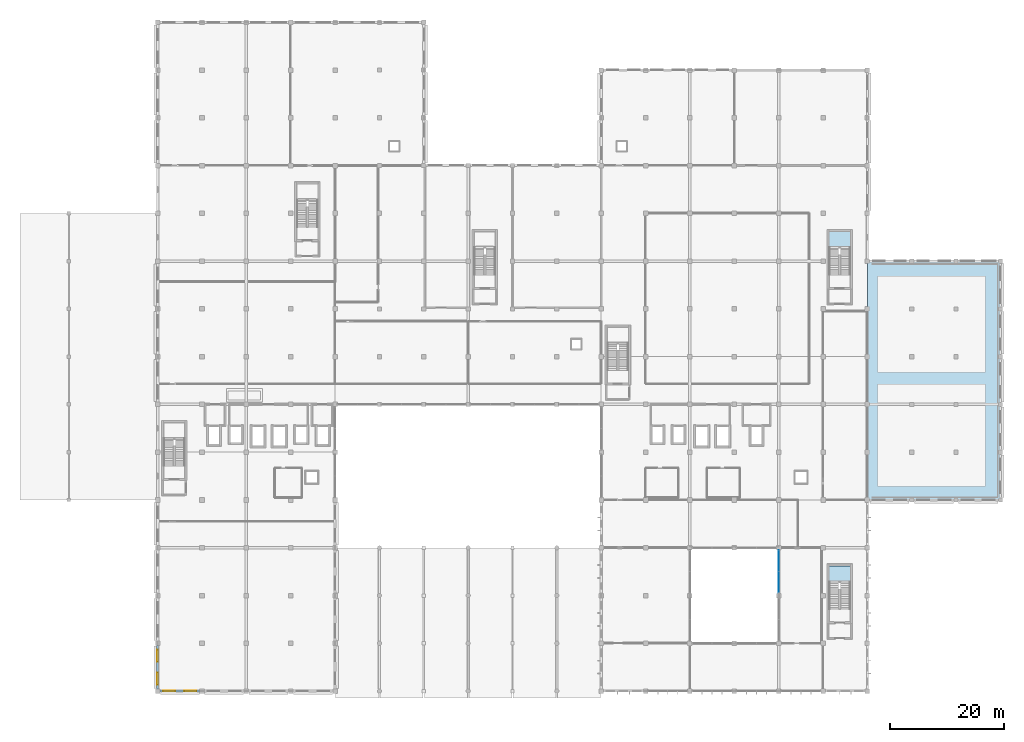
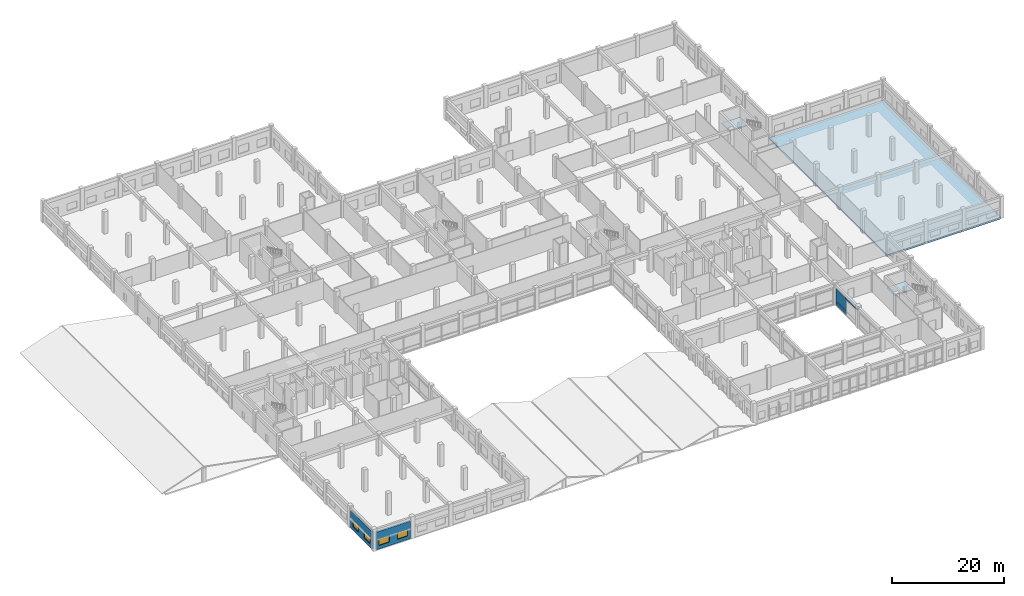
# One storey, part 38 of 62: 4 plates, 4 windows, 3 slabs, 2 walls, 4 openings, 3 elements without a shape of their own.
"""IFC4 building model written with IfcOpenShell, lengths in metres."""

import ifcopenshell
import ifcopenshell.guid

model = None  # the IFC model being written
_history = None  # IfcOwnerHistory: only IFC2X3 demands one
_inside = {}  # id of a spatial element -> (the spatial element, [elements in it])
_under = {}  # id of a project, library or spatial element -> (it, [spatial elements below it])
_declared = {}  # id of a project -> (the project, [libraries it declares])
_typed = {}  # id of a type object -> (the type object, [elements of that type])
_made_of = {}  # id of a material, layer set ... -> (it, [elements and type objects made of it])


def new_model(schema):
    """Start an empty IFC model of exactly this schema.

    Asked for "IFC4X3", IfcOpenShell would pick the latest addendum, in which some entities
    have other attributes; the version numbers below select the first issue.
    IFC2X3 requires an IfcOwnerHistory on every rooted entity: one is made here for all.
    """
    global model, _history
    if schema == "IFC4X3":
        model = ifcopenshell.file(schema_version=(4, 3, 0, 0))
    else:
        model = ifcopenshell.file(schema=schema)
    _inside.clear()
    _under.clear()
    _declared.clear()
    _typed.clear()
    _made_of.clear()
    _history = None
    if model.schema == "IFC2X3":
        org = make("IfcOrganization", Name="unknown")
        user = make(
            "IfcPersonAndOrganization",
            ThePerson=make("IfcPerson", FamilyName="unknown"),
            TheOrganization=org,
        )
        app = make(
            "IfcApplication",
            ApplicationDeveloper=org,
            Version="unknown",
            ApplicationFullName="unknown",
            ApplicationIdentifier="unknown",
        )
        _history = make(
            "IfcOwnerHistory",
            OwningUser=user,
            OwningApplication=app,
            ChangeAction="ADDED",
            CreationDate=0,
        )
    return model


def make(cls, **values):
    """One entity of the class cls with the attributes given. An attribute that is None is left unset."""
    return model.create_entity(
        cls, **{name: value for name, value in values.items() if value is not None}
    )


def rooted(cls, **values):
    """An entity with a GlobalId (a new one), such as an element, a storey or a relation."""
    return make(cls, GlobalId=ifcopenshell.guid.new(), OwnerHistory=_history, **values)


def si_unit(unit_type, name, prefix=None):
    """IfcSIUnit, for example si_unit("LENGTHUNIT", "METRE", prefix="MILLI")."""
    return make("IfcSIUnit", UnitType=unit_type, Prefix=prefix, Name=name)


def assignment(units):
    """IfcUnitAssignment: the units of a project."""
    return None if units is None else make("IfcUnitAssignment", Units=units)


def point(xyz):
    """IfcCartesianPoint."""
    return None if xyz is None else make("IfcCartesianPoint", Coordinates=xyz)


def direction(xyz):
    """IfcDirection."""
    return None if xyz is None else make("IfcDirection", DirectionRatios=xyz)


def frame(location, z_axis=None, x_axis=None):
    """IfcAxis2Placement3D, a coordinate frame: its origin and axes. An axis left out is left unset."""
    return make(
        "IfcAxis2Placement3D",
        Location=point(location),
        Axis=direction(z_axis),
        RefDirection=direction(x_axis),
    )


def frame_2d(location, x_axis=None):
    """IfcAxis2Placement2D, a coordinate frame in the plane: its origin and x axis."""
    return make(
        "IfcAxis2Placement2D", Location=point(location), RefDirection=direction(x_axis)
    )


def origin():
    """The frame at (0, 0, 0) with its axes left unset."""
    return frame((0.0, 0.0, 0.0))


def origin_2d():
    """The frame at (0, 0) in the plane with its x axis left unset."""
    return frame_2d((0.0, 0.0))


def place(relative_to, where):
    """IfcLocalPlacement: puts the frame where relative to a parent placement (None: the world)."""
    return make(
        "IfcLocalPlacement", PlacementRelTo=relative_to, RelativePlacement=where
    )


def context(
    kind, dimensions, precision=None, world=None, true_north=None, identifier=None
):
    """IfcGeometricRepresentationContext, for example the 3D "Model" context."""
    return make(
        "IfcGeometricRepresentationContext",
        ContextIdentifier=identifier,
        ContextType=kind,
        CoordinateSpaceDimension=dimensions,
        Precision=precision,
        WorldCoordinateSystem=world,
        TrueNorth=true_north,
    )


def subcontext(parent, identifier, kind, view, scale=None):
    """IfcGeometricRepresentationSubContext, for example "Body" below "Model"."""
    return make(
        "IfcGeometricRepresentationSubContext",
        ContextIdentifier=identifier,
        ContextType=kind,
        ParentContext=parent,
        TargetScale=scale,
        TargetView=view,
    )


def project(units=None, contexts=None):
    """IfcProject with its units and contexts."""
    return rooted(
        "IfcProject",
        Name="project",
        RepresentationContexts=contexts,
        UnitsInContext=assignment(units),
    )


def spatial(cls, under=None, at=None, **own):
    """A site, building, storey or space (cls), placed at a placement, below another one or the project."""
    s = rooted(cls, ObjectPlacement=at, **own)
    if under is not None:
        _under.setdefault(under.id(), (under, []))[1].append(s)
    return s


def polyline(points):
    """IfcPolyline through the points."""
    return make("IfcPolyline", Points=[point(p) for p in points])


def profile(cls, at=None, kind="AREA", **sizes):
    """A parametric profile (cls). Its sizes go by their IFC names, for example OverallWidth=200.0."""
    return make(cls, ProfileType=kind, Position=at, **sizes)


def rectangle(**sizes):
    """IfcRectangleProfileDef."""
    return profile("IfcRectangleProfileDef", **sizes)


def outline(outer, holes=None, kind="AREA"):
    """IfcArbitraryClosedProfileDef: a profile drawn as a closed curve; with holes, ...WithVoids."""
    if holes is None:
        return make("IfcArbitraryClosedProfileDef", ProfileType=kind, OuterCurve=outer)
    return make(
        "IfcArbitraryProfileDefWithVoids",
        ProfileType=kind,
        OuterCurve=outer,
        InnerCurves=holes,
    )


def extrude(swept, where, along, depth):
    """IfcExtrudedAreaSolid: the profile swept, set in the frame where, extruded along a direction by depth."""
    return make(
        "IfcExtrudedAreaSolid",
        SweptArea=swept,
        Position=where,
        ExtrudedDirection=direction(along),
        Depth=depth,
    )


def shape(context_of_items, identifier, shape_type, items):
    """IfcShapeRepresentation: the items that make up one representation, for example the "Body"."""
    return make(
        "IfcShapeRepresentation",
        ContextOfItems=context_of_items,
        RepresentationIdentifier=identifier,
        RepresentationType=shape_type,
        Items=items,
    )


def material(Name=None, Category=None):
    """IfcMaterial."""
    return make("IfcMaterial", Name=Name, Category=Category)


def layer(
    of_material, thickness, ventilated=None, Name=None, Category=None, Priority=None
):
    """IfcMaterialLayer: one layer of a wall or slab, of a material (None: an air gap)."""
    return make(
        "IfcMaterialLayer",
        Material=of_material,
        LayerThickness=thickness,
        IsVentilated=ventilated,
        Name=Name,
        Category=Category,
        Priority=Priority,
    )


def layer_set(layers, Name=None):
    """IfcMaterialLayerSet."""
    return make("IfcMaterialLayerSet", MaterialLayers=layers, LayerSetName=Name)


def made_of(thing, what):
    """Note that an element or type object is made of a material, layer set ...; save() writes the relation."""
    if what is not None:
        _made_of.setdefault(what.id(), (what, []))[1].append(thing)
    return thing


def type_object(cls, material=None, **own):
    """A type object (cls), such as IfcWallType, which elements share."""
    return made_of(rooted(cls, **own), material)


def element(
    cls,
    number,
    at=None,
    inside=None,
    cuts=None,
    type_object=None,
    material=None,
    context=None,
    identifier="Body",
    shape_type=None,
    held_by="IfcProductDefinitionShape",
    body=None,
    shapes=None,
    **own,
):
    """One element of the class cls, such as IfcWall. Its Tag is "e" and its number.

    at: its placement. inside: the storey or other place that contains it. cuts: it is an
    opening in that element (IfcRelVoidsElement). A single representation is given by context,
    identifier, shape_type and body (its items); several are given by shapes. held_by: the class
    of the entity that holds the representations. save() writes the other relations.
    """
    e = rooted(cls, Tag="e%d" % number, ObjectPlacement=at, **own)
    if body is not None:
        shapes = [shape(context, identifier, shape_type, body)]
    if shapes is not None:
        e.Representation = make(held_by, Representations=shapes)
    if inside is not None:
        _inside.setdefault(inside.id(), (inside, []))[1].append(e)
    if cuts is not None:
        rooted(
            "IfcRelVoidsElement", RelatingBuildingElement=cuts, RelatedOpeningElement=e
        )
    if type_object is not None:
        _typed.setdefault(type_object.id(), (type_object, []))[1].append(e)
    return made_of(e, material)


def fill(opening, filler):
    """IfcRelFillsElement: the door or window that sits in an opening."""
    return rooted(
        "IfcRelFillsElement",
        RelatingOpeningElement=opening,
        RelatedBuildingElement=filler,
    )


def aggregate(whole, parts):
    """IfcRelAggregates: a whole, such as a stair, and the parts it consists of."""
    return rooted("IfcRelAggregates", RelatingObject=whole, RelatedObjects=parts)


def save(model, path):
    """Write the relations noted so far, then the file.

    IfcRelAggregates (storeys below a building ...), IfcRelContainedInSpatialStructure (elements
    in a storey), IfcRelDefinesByType, IfcRelAssociatesMaterial and IfcRelDeclares: one each for
    every whole, place, type object, material and project.
    """
    for whole, parts in _under.values():
        aggregate(whole, parts)
    for where, things in _inside.values():
        rooted(
            "IfcRelContainedInSpatialStructure",
            RelatedElements=things,
            RelatingStructure=where,
        )
    for kind, things in _typed.values():
        rooted("IfcRelDefinesByType", RelatedObjects=things, RelatingType=kind)
    for what, things in _made_of.values():
        rooted("IfcRelAssociatesMaterial", RelatedObjects=things, RelatingMaterial=what)
    for by, libraries in _declared.values():
        rooted("IfcRelDeclares", RelatingContext=by, RelatedDefinitions=libraries)
    model.write(path)


model = new_model("IFC4")

# Units and contexts
model_context = context("Model", 3, precision=1e-05, world=origin(), true_north=direction((0.0, 1.0)))
body_context = subcontext(model_context, "Body", "Model", "MODEL_VIEW")
ifc_project = project(units=[si_unit("LENGTHUNIT", "METRE"), si_unit("AREAUNIT", "SQUARE_METRE"), si_unit("VOLUMEUNIT", "CUBIC_METRE"), si_unit("PLANEANGLEUNIT", "RADIAN"), si_unit("MASSUNIT", "GRAM", prefix="KILO"), si_unit("THERMODYNAMICTEMPERATUREUNIT", "KELVIN"), si_unit("POWERUNIT", "WATT")], contexts=[model_context])

# Site, building, storey
site_placement = place(None, origin())
site = spatial("IfcSite", under=ifc_project, at=site_placement, CompositionType="ELEMENT")
building_placement = place(site_placement, origin())
building = spatial("IfcBuilding", under=site, at=building_placement, Name="Srebrne Nadtorze General Hospital", CompositionType="ELEMENT")
storey_placement = place(building_placement, frame((0.0, 0.0, 9.60009765625)))
storey = spatial("IfcBuildingStorey", under=building, at=storey_placement, Name="L02", CompositionType="ELEMENT", Elevation=9.60009765625)

# Curtain wall, plates
ifc_material_1 = material(Name="Anodised Aluminium", Category="aluminium")
curtain_wall_type = type_object("IfcCurtainWallType", Name="Unitised curtain wall 7600x3800", PredefinedType="NOTDEFINED", material=ifc_material_1)
curtain_wall_placement = place(storey_placement, origin())
curtain_wall = element("IfcCurtainWall", 1, at=curtain_wall_placement, inside=storey, type_object=curtain_wall_type, Name="Curtain wall CW-089", PredefinedType="NOTDEFINED")
ifc_material_2 = material(Name="Triple Low-E Glazing", Category="glass")
ifc_layer_1 = layer(ifc_material_2, 0.050048828125)
ifc_layer_set_1 = layer_set([ifc_layer_1], Name="Triple Low-E Glazing")
plate_type = type_object("IfcPlateType", Name="Glazed curtain panel 50", PredefinedType="CURTAIN_PANEL", material=ifc_layer_set_1)
plate_1_placement = place(storey_placement, frame((132.60009765625, 19.1162109375, 3.33251953125), z_axis=(0.0, 0.0, 1.0), x_axis=(0.0, 1.0, 0.0)))
plate_1 = element("IfcPlate", 2, at=plate_1_placement, type_object=plate_type, Name="CW-089 panel 1.3", PredefinedType="CURTAIN_PANEL", context=body_context, shape_type="SweptSolid", body=[
    extrude(rectangle(XDim=3.702392578125, YDim=0.050048828125, at=origin_2d()), origin(), (0.0, 0.0, 1.0), 0.402587890625),
])
plate_2_placement = place(storey_placement, frame((132.60009765625, 22.8837890625, 0.06494140625), z_axis=(0.0, 0.0, 1.0), x_axis=(0.0, 1.0, 0.0)))
plate_2 = element("IfcPlate", 3, at=plate_2_placement, type_object=plate_type, Name="CW-089 panel 2.1", PredefinedType="CURTAIN_PANEL", context=body_context, shape_type="SweptSolid", body=[
    extrude(rectangle(XDim=3.702392578125, YDim=0.050048828125, at=origin_2d()), origin(), (0.0, 0.0, 1.0), 0.75244140625),
])
plate_3_placement = place(storey_placement, frame((132.60009765625, 22.8837890625, 0.88232421875), z_axis=(0.0, 0.0, 1.0), x_axis=(0.0, 1.0, 0.0)))
plate_3 = element("IfcPlate", 4, at=plate_3_placement, type_object=plate_type, Name="CW-089 panel 2.2", PredefinedType="CURTAIN_PANEL", context=body_context, shape_type="SweptSolid", body=[
    extrude(rectangle(XDim=3.702392578125, YDim=0.050048828125, at=origin_2d()), origin(), (0.0, 0.0, 1.0), 2.385009765625),
])
plate_4_placement = place(storey_placement, frame((132.60009765625, 22.8837890625, 3.33251953125), z_axis=(0.0, 0.0, 1.0), x_axis=(0.0, 1.0, 0.0)))
plate_4 = element("IfcPlate", 5, at=plate_4_placement, type_object=plate_type, Name="CW-089 panel 2.3", PredefinedType="CURTAIN_PANEL", context=body_context, shape_type="SweptSolid", body=[
    extrude(rectangle(XDim=3.702392578125, YDim=0.050048828125, at=origin_2d()), origin(), (0.0, 0.0, 1.0), 0.402587890625),
])
aggregate(curtain_wall, [plate_1, plate_2, plate_3, plate_4])

# Stair, slab
ifc_material_3 = material(Name="Concrete C35/45", Category="concrete")
stair_type = type_object("IfcStairType", Name="Dog-leg escape stair 480", PredefinedType="HALF_TURN_STAIR", material=ifc_material_3)
stair_1_placement = place(storey_placement, origin())
stair_1 = element("IfcStair", 6, at=stair_1_placement, inside=storey, type_object=stair_type, Name="Escape stair ST-04-L02", PredefinedType="HALF_TURN_STAIR")
ifc_material_4 = material(Name="Concrete C35/45", Category="concrete")
ifc_layer_2 = layer(ifc_material_4, 0.219970703125)
ifc_layer_set_2 = layer_set([ifc_layer_2], Name="Concrete C35/45")
slab_type_1 = type_object("IfcSlabType", Name="Stair landing slab 220", PredefinedType="LANDING", material=ifc_layer_set_2)
slab_1_placement = place(storey_placement, frame((0.0, 0.0, 2.179931640625)))
slab_1 = element("IfcSlab", 7, at=slab_1_placement, type_object=slab_type_1, Name="ST-04 landing 1", PredefinedType="LANDING", context=body_context, shape_type="SweptSolid", body=[
    extrude(outline(polyline([(141.449951171875, 78.0), (145.199951171875, 78.0), (145.199951171875, 80.800048828125), (141.449951171875, 80.800048828125), (141.449951171875, 78.0)])), origin(), (0.0, 0.0, 1.0), 0.219970703125),
])
aggregate(stair_1, [slab_1])

stair_2_placement = place(storey_placement, origin())
stair_2 = element("IfcStair", 8, at=stair_2_placement, inside=storey, type_object=stair_type, Name="Escape stair ST-08-L02", PredefinedType="HALF_TURN_STAIR")
slab_2_placement = place(storey_placement, frame((0.0, 0.0, 2.179931640625)))
slab_2 = element("IfcSlab", 9, at=slab_2_placement, type_object=slab_type_1, Name="ST-08 landing 1", PredefinedType="LANDING", context=body_context, shape_type="SweptSolid", body=[
    extrude(outline(polyline([(141.449951171875, 19.199951171875), (145.199951171875, 19.199951171875), (145.199951171875, 22.0), (141.449951171875, 22.0), (141.449951171875, 19.199951171875)])), origin(), (0.0, 0.0, 1.0), 0.219970703125),
])
aggregate(stair_2, [slab_2])

# Slab
ifc_material_5 = material(Name="Concrete C35/45", Category="concrete")
ifc_layer_3 = layer(ifc_material_5, 0.35009765625)
ifc_layer_set_3 = layer_set([ifc_layer_3], Name="Concrete C35/45")
slab_type_2 = type_object("IfcSlabType", Name="Suspended floor slab 350", PredefinedType="FLOOR", material=ifc_layer_set_3)
slab_3_placement = place(storey_placement, frame((0.0, 0.0, -0.35009765625)))
element("IfcSlab", 10, at=slab_3_placement, inside=storey, type_object=slab_type_2, Name="Suspended floor slab SL-L02-EBA", PredefinedType="FLOOR", context=body_context, shape_type="SweptSolid", body=[
    extrude(outline(polyline([(171.60009765625, 33.60009765625), (171.60009765625, 75.60009765625), (148.199951171875, 75.60009765625), (148.199951171875, 33.60009765625), (171.60009765625, 33.60009765625)])), origin(), (0.0, 0.0, 1.0), 0.35009765625),
])

# Wall, openings, windows
ifc_material_6 = material(Name="Concrete C35/45", Category="concrete")
ifc_layer_4 = layer(ifc_material_6, 0.320068359375)
ifc_layer_set_4 = layer_set([ifc_layer_4], Name="Concrete C35/45")
wall_type = type_object("IfcWallType", Name="Spandrel wall 320", PredefinedType="STANDARD", material=ifc_layer_set_4)
wall_1_placement = place(storey_placement, frame((23.800048828125, 0.0, 0.0), z_axis=(0.0, 0.0, 1.0), x_axis=(1.0, 0.0, 0.0)))
wall_1 = element("IfcWall", 11, at=wall_1_placement, inside=storey, type_object=wall_type, Name="Exterior wall WL-ENV-L02-0214", PredefinedType="STANDARD", context=body_context, shape_type="SweptSolid", body=[
    extrude(rectangle(XDim=7.0, YDim=0.320068359375, at=frame_2d((3.5, 0.0))), origin(), (0.0, 0.0, 1.0), 3.7998046875),
])
opening_1_placement = place(wall_1_placement, frame((0.577880859375, 0.0, 0.75)))
opening_1 = element("IfcOpeningElement", 12, at=opening_1_placement, cuts=wall_1, Name="Opening WN-L02-0250", PredefinedType="OPENING", context=body_context, shape_type="SweptSolid", body=[
    extrude(rectangle(XDim=2.10009765625, YDim=1.449951171875, at=frame_2d((1.050048828125, 0.72509765625))), frame((0.0, 0.171875, 0.0), z_axis=(0.0, -1.0, 0.0), x_axis=(1.0, 0.0, 0.0)), (0.0, 0.0, 1.0), 0.343994140625),
])
opening_2_placement = place(wall_1_placement, frame((4.322021484375, 0.0, 0.75)))
opening_2 = element("IfcOpeningElement", 13, at=opening_2_placement, cuts=wall_1, Name="Opening WN-L02-0251", PredefinedType="OPENING", context=body_context, shape_type="SweptSolid", body=[
    extrude(rectangle(XDim=2.10009765625, YDim=1.449951171875, at=frame_2d((1.050048828125, 0.72509765625))), frame((0.0, 0.171875, 0.0), z_axis=(0.0, -1.0, 0.0), x_axis=(1.0, 0.0, 0.0)), (0.0, 0.0, 1.0), 0.343994140625),
])
ifc_material_7 = material(Name="Triple Low-E Glazing", Category="glass")
window_type = type_object("IfcWindowType", Name="Punched clinical window 2100x1450", PartitioningType="DOUBLE_PANEL_VERTICAL", PredefinedType="WINDOW", material=ifc_material_7)
window_1_placement = place(opening_1_placement, origin())
window_1 = element("IfcWindow", 14, at=window_1_placement, inside=storey, type_object=window_type, Name="Clinical window WN-L02-0250", OverallHeight=1.449951171875, OverallWidth=2.10009765625, PartitioningType="DOUBLE_PANEL_VERTICAL", PredefinedType="WINDOW", context=body_context, shape_type="SweptSolid", body=[
    extrude(rectangle(XDim=2.10009765625, YDim=1.449951171875, at=frame_2d((1.050048828125, 0.72509765625))), frame((0.0, 0.030029296875, 0.0), z_axis=(0.0, -1.0, 0.0), x_axis=(1.0, 0.0, 0.0)), (0.0, 0.0, 1.0), 0.06005859375),
])
fill(opening_1, window_1)
window_2_placement = place(opening_2_placement, origin())
window_2 = element("IfcWindow", 15, at=window_2_placement, inside=storey, type_object=window_type, Name="Clinical window WN-L02-0251", OverallHeight=1.449951171875, OverallWidth=2.10009765625, PartitioningType="DOUBLE_PANEL_VERTICAL", PredefinedType="WINDOW", context=body_context, shape_type="SweptSolid", body=[
    extrude(rectangle(XDim=2.10009765625, YDim=1.449951171875, at=frame_2d((1.050048828125, 0.72509765625))), frame((0.0, 0.030029296875, 0.0), z_axis=(0.0, -1.0, 0.0), x_axis=(1.0, 0.0, 0.0)), (0.0, 0.0, 1.0), 0.06005859375),
])
fill(opening_2, window_2)

wall_2_placement = place(storey_placement, frame((23.39990234375, 0.39990234375, 0.0), z_axis=(0.0, 0.0, 1.0), x_axis=(0.0, 1.0, 0.0)))
wall_2 = element("IfcWall", 16, at=wall_2_placement, inside=storey, type_object=wall_type, Name="Exterior wall WL-ENV-L02-0242", PredefinedType="STANDARD", context=body_context, shape_type="SweptSolid", body=[
    extrude(rectangle(XDim=7.60009765625, YDim=0.320068359375, at=frame_2d((3.800048828125, 0.0))), origin(), (0.0, 0.0, 1.0), 3.7998046875),
])
opening_3_placement = place(wall_2_placement, frame((0.73388671875, 0.0, 0.75)))
opening_3 = element("IfcOpeningElement", 17, at=opening_3_placement, cuts=wall_2, Name="Opening WN-L02-0302", PredefinedType="OPENING", context=body_context, shape_type="SweptSolid", body=[
    extrude(rectangle(XDim=2.10009765625, YDim=1.449951171875, at=frame_2d((1.050048828125, 0.72509765625))), frame((0.0, 0.171875, 0.0), z_axis=(0.0, -1.0, 0.0), x_axis=(1.0, 0.0, 0.0)), (0.0, 0.0, 1.0), 0.343994140625),
])
opening_4_placement = place(wall_2_placement, frame((4.76611328125, 0.0, 0.75)))
opening_4 = element("IfcOpeningElement", 18, at=opening_4_placement, cuts=wall_2, Name="Opening WN-L02-0303", PredefinedType="OPENING", context=body_context, shape_type="SweptSolid", body=[
    extrude(rectangle(XDim=2.10009765625, YDim=1.449951171875, at=frame_2d((1.050048828125, 0.72509765625))), frame((0.0, 0.171875, 0.0), z_axis=(0.0, -1.0, 0.0), x_axis=(1.0, 0.0, 0.0)), (0.0, 0.0, 1.0), 0.343994140625),
])
window_3_placement = place(opening_3_placement, origin())
window_3 = element("IfcWindow", 19, at=window_3_placement, inside=storey, type_object=window_type, Name="Clinical window WN-L02-0302", OverallHeight=1.449951171875, OverallWidth=2.10009765625, PartitioningType="DOUBLE_PANEL_VERTICAL", PredefinedType="WINDOW", context=body_context, shape_type="SweptSolid", body=[
    extrude(rectangle(XDim=2.10009765625, YDim=1.449951171875, at=frame_2d((1.050048828125, 0.72509765625))), frame((0.0, 0.030029296875, 0.0), z_axis=(0.0, -1.0, 0.0), x_axis=(1.0, 0.0, 0.0)), (0.0, 0.0, 1.0), 0.06005859375),
])
fill(opening_3, window_3)
window_4_placement = place(opening_4_placement, origin())
window_4 = element("IfcWindow", 20, at=window_4_placement, inside=storey, type_object=window_type, Name="Clinical window WN-L02-0303", OverallHeight=1.449951171875, OverallWidth=2.10009765625, PartitioningType="DOUBLE_PANEL_VERTICAL", PredefinedType="WINDOW", context=body_context, shape_type="SweptSolid", body=[
    extrude(rectangle(XDim=2.10009765625, YDim=1.449951171875, at=frame_2d((1.050048828125, 0.72509765625))), frame((0.0, 0.030029296875, 0.0), z_axis=(0.0, -1.0, 0.0), x_axis=(1.0, 0.0, 0.0)), (0.0, 0.0, 1.0), 0.06005859375),
])
fill(opening_4, window_4)

save(model, "model.ifc")
